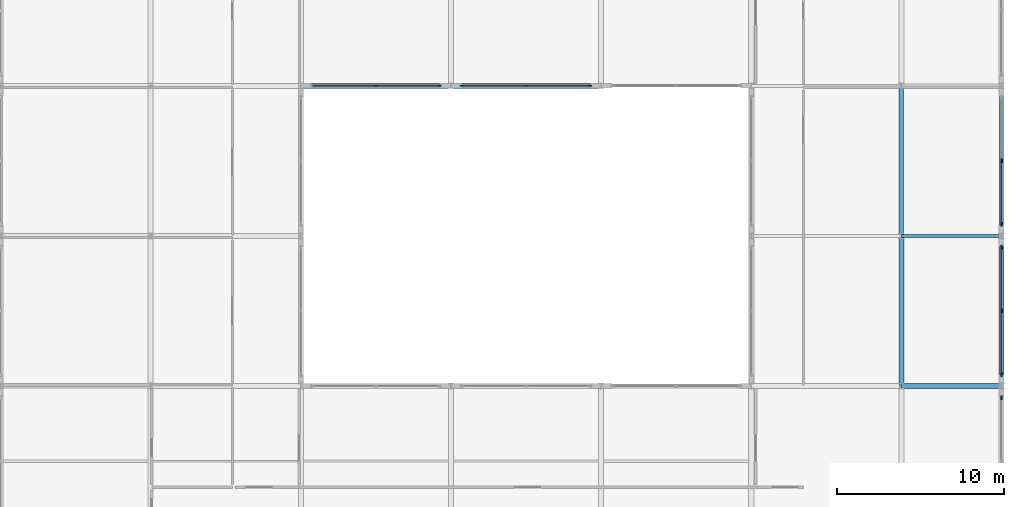
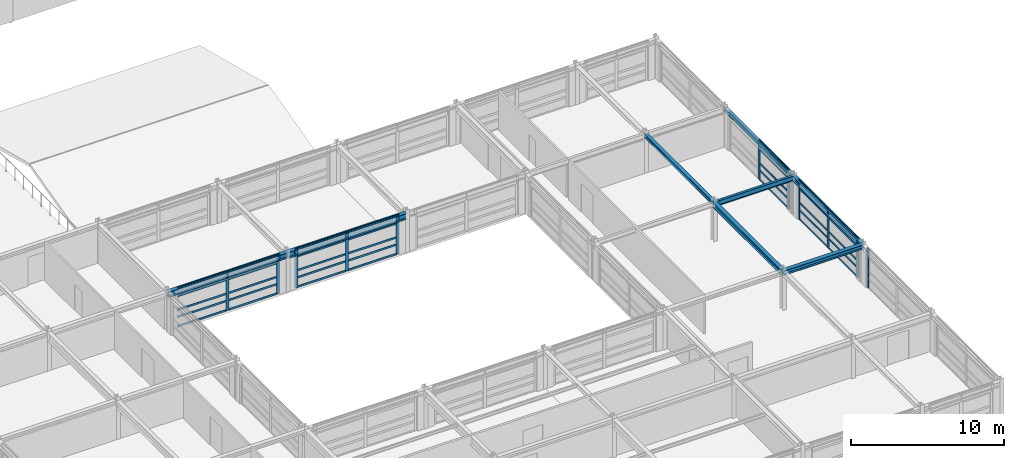
# One storey, part 52 of 91: 46 members, 8 beams, 5 elements without a shape of their own.
"""IFC4 building model written with IfcOpenShell, lengths in metres."""

from ifc_helpers import new_model, si_unit, direction, frame, origin, origin_2d, place, context, subcontext, project, spatial, rectangle, i_section, extrude, material, material_profile, profile_set, type_object, element, aggregate, save


model = new_model("IFC4")

# Units and contexts
model_context = context("Model", 3, precision=1e-05, world=origin(), true_north=direction((0.0, 1.0)))
body_context = subcontext(model_context, "Body", "Model", "MODEL_VIEW")
ifc_project = project(units=[si_unit("LENGTHUNIT", "METRE"), si_unit("AREAUNIT", "SQUARE_METRE"), si_unit("VOLUMEUNIT", "CUBIC_METRE"), si_unit("PLANEANGLEUNIT", "RADIAN"), si_unit("MASSUNIT", "GRAM", prefix="KILO")], contexts=[model_context])

# Site, building, storey
site_placement = place(None, origin())
site = spatial("IfcSite", under=ifc_project, at=site_placement, CompositionType="ELEMENT")
building_placement = place(site_placement, origin())
building = spatial("IfcBuilding", under=site, at=building_placement, Name="Palais des Congres Ocreval", CompositionType="ELEMENT")
storey_placement = place(building_placement, frame((0.0, 0.0, 8.159912109375)))
storey = spatial("IfcBuildingStorey", under=building, at=storey_placement, Name="L02", CompositionType="ELEMENT", Elevation=8.159912109375)

# Beam
ifc_material_1 = material(Name="Steel S355", Category="steel")
ifc_material_profile_1 = material_profile(ifc_material_1, i_section(OverallWidth=0.179931640625, OverallDepth=0.39990234375, WebThickness=0.008544921875, FlangeThickness=0.013427734375, at=origin_2d()), Name="IPE 400")
ifc_profile_set_1 = profile_set([ifc_material_profile_1], Name="Steel S355")
beam_type_1 = type_object("IfcBeamType", Name="Composite Beam IPE 400 Steel S355", PredefinedType="BEAM", material=ifc_profile_set_1)
beam_1_placement = place(storey_placement, frame((162.02001953125, 27.0, 2.900146484375), z_axis=(1.0, 0.0, 0.0), x_axis=(0.0, 1.0, 0.0)))
element("IfcBeam", 1, at=beam_1_placement, inside=storey, type_object=beam_type_1, Name="Beam B02 L02", PredefinedType="BEAM", context=body_context, shape_type="SweptSolid", body=[
    extrude(i_section(OverallWidth=0.179931640625, OverallDepth=0.39990234375, WebThickness=0.008544921875, FlangeThickness=0.013427734375, at=origin_2d()), origin(), (0.0, 0.0, 1.0), 5.9599609375),
])

# Curtain wall, members
ifc_material_2 = material(Name="Anodized bronze aluminium and low-E glass", Category="glass")
curtain_wall_type = type_object("IfcCurtainWallType", Name="Unitised Curtain Wall 7900x3120", PredefinedType="USERDEFINED", material=ifc_material_2)
curtain_wall_1_placement = place(storey_placement, origin())
curtain_wall_1 = element("IfcCurtainWall", 2, at=curtain_wall_1_placement, inside=storey, type_object=curtain_wall_type, Name="Unitised Curtain Wall CW03 L02", ObjectType="UNITISED CURTAIN WALL", PredefinedType="USERDEFINED")
ifc_material_3 = material(Name="Anodized bronze aluminium", Category="aluminium")
ifc_material_profile_2 = material_profile(ifc_material_3, rectangle(XDim=0.074951171875, YDim=0.239990234375, at=origin_2d()), Name="ALU 75x240")
ifc_profile_set_2 = profile_set([ifc_material_profile_2], Name="Anodized bronze aluminium")
member_type_1 = type_object("IfcMemberType", Name="Curtain Wall Mullion ALU 75x240", PredefinedType="MULLION", material=ifc_profile_set_2)
member_1_placement = place(storey_placement, frame((168.0, 31.5, 0.0), z_axis=(0.0, 0.0, 1.0), x_axis=(1.0, 0.0, 0.0)))
member_1 = element("IfcMember", 3, at=member_1_placement, type_object=member_type_1, Name="Curtain Wall Mullion ML01", PredefinedType="MULLION", context=body_context, shape_type="SweptSolid", body=[
    extrude(rectangle(XDim=0.074951171875, YDim=0.239990234375, at=origin_2d()), origin(), (0.0, 0.0, 1.0), 3.110107421875),
])
member_2_placement = place(storey_placement, frame((168.0, 27.6875, 0.0), z_axis=(0.0, 0.0, 1.0), x_axis=(1.0, 0.0, 0.0)))
member_2 = element("IfcMember", 4, at=member_2_placement, type_object=member_type_1, Name="Curtain Wall Mullion ML01", PredefinedType="MULLION", context=body_context, shape_type="SweptSolid", body=[
    extrude(rectangle(XDim=0.074951171875, YDim=0.239990234375, at=origin_2d()), origin(), (0.0, 0.0, 1.0), 3.110107421875),
])

curtain_wall_2_placement = place(storey_placement, origin())
curtain_wall_2 = element("IfcCurtainWall", 5, at=curtain_wall_2_placement, inside=storey, type_object=curtain_wall_type, Name="Unitised Curtain Wall CW03 L02", ObjectType="UNITISED CURTAIN WALL", PredefinedType="USERDEFINED")
member_3_placement = place(storey_placement, frame((168.0, 26.3125, 0.0), z_axis=(0.0, 0.0, 1.0), x_axis=(1.0, 0.0, 0.0)))
member_3 = element("IfcMember", 6, at=member_3_placement, type_object=member_type_1, Name="Curtain Wall Mullion ML01", PredefinedType="MULLION", context=body_context, shape_type="SweptSolid", body=[
    extrude(rectangle(XDim=0.074951171875, YDim=0.239990234375, at=origin_2d()), origin(), (0.0, 0.0, 1.0), 3.110107421875),
])
member_4_placement = place(storey_placement, frame((168.0, 22.5, 0.0), z_axis=(0.0, 0.0, 1.0), x_axis=(1.0, 0.0, 0.0)))
member_4 = element("IfcMember", 7, at=member_4_placement, type_object=member_type_1, Name="Curtain Wall Mullion ML01", PredefinedType="MULLION", context=body_context, shape_type="SweptSolid", body=[
    extrude(rectangle(XDim=0.074951171875, YDim=0.239990234375, at=origin_2d()), origin(), (0.0, 0.0, 1.0), 3.110107421875),
])
member_5_placement = place(storey_placement, frame((168.0, 18.6875, 0.0), z_axis=(0.0, 0.0, 1.0), x_axis=(1.0, 0.0, 0.0)))
member_5 = element("IfcMember", 8, at=member_5_placement, type_object=member_type_1, Name="Curtain Wall Mullion ML01", PredefinedType="MULLION", context=body_context, shape_type="SweptSolid", body=[
    extrude(rectangle(XDim=0.074951171875, YDim=0.239990234375, at=origin_2d()), origin(), (0.0, 0.0, 1.0), 3.110107421875),
])

# Curtain wall, member
curtain_wall_3_placement = place(storey_placement, origin())
curtain_wall_3 = element("IfcCurtainWall", 9, at=curtain_wall_3_placement, inside=storey, type_object=curtain_wall_type, Name="Unitised Curtain Wall CW03 L02", ObjectType="UNITISED CURTAIN WALL", PredefinedType="USERDEFINED")
member_6_placement = place(storey_placement, frame((168.0, 17.3125, 0.0), z_axis=(0.0, 0.0, 1.0), x_axis=(1.0, 0.0, 0.0)))
member_6 = element("IfcMember", 10, at=member_6_placement, type_object=member_type_1, Name="Curtain Wall Mullion ML01", PredefinedType="MULLION", context=body_context, shape_type="SweptSolid", body=[
    extrude(rectangle(XDim=0.074951171875, YDim=0.239990234375, at=origin_2d()), origin(), (0.0, 0.0, 1.0), 3.110107421875),
])
aggregate(curtain_wall_3, [member_6])

# Curtain wall, members
curtain_wall_4_placement = place(storey_placement, origin())
curtain_wall_4 = element("IfcCurtainWall", 11, at=curtain_wall_4_placement, inside=storey, type_object=curtain_wall_type, Name="Unitised Curtain Wall CW03 L02", ObjectType="UNITISED CURTAIN WALL", PredefinedType="USERDEFINED")
member_7_placement = place(storey_placement, frame((143.3125, 36.0, 0.0), z_axis=(0.0, 0.0, 1.0), x_axis=(0.0, -1.0, 0.0)))
member_7 = element("IfcMember", 12, at=member_7_placement, type_object=member_type_1, Name="Curtain Wall Mullion ML01", PredefinedType="MULLION", context=body_context, shape_type="SweptSolid", body=[
    extrude(rectangle(XDim=0.074951171875, YDim=0.239990234375, at=origin_2d()), origin(), (0.0, 0.0, 1.0), 3.110107421875),
])
member_8_placement = place(storey_placement, frame((139.5, 36.0, 0.0), z_axis=(0.0, 0.0, 1.0), x_axis=(0.0, -1.0, 0.0)))
member_8 = element("IfcMember", 13, at=member_8_placement, type_object=member_type_1, Name="Curtain Wall Mullion ML01", PredefinedType="MULLION", context=body_context, shape_type="SweptSolid", body=[
    extrude(rectangle(XDim=0.074951171875, YDim=0.239990234375, at=origin_2d()), origin(), (0.0, 0.0, 1.0), 3.110107421875),
])
member_9_placement = place(storey_placement, frame((135.6875, 36.0, 0.0), z_axis=(0.0, 0.0, 1.0), x_axis=(0.0, -1.0, 0.0)))
member_9 = element("IfcMember", 14, at=member_9_placement, type_object=member_type_1, Name="Curtain Wall Mullion ML01", PredefinedType="MULLION", context=body_context, shape_type="SweptSolid", body=[
    extrude(rectangle(XDim=0.074951171875, YDim=0.239990234375, at=origin_2d()), origin(), (0.0, 0.0, 1.0), 3.110107421875),
])

curtain_wall_5_placement = place(storey_placement, origin())
curtain_wall_5 = element("IfcCurtainWall", 15, at=curtain_wall_5_placement, inside=storey, type_object=curtain_wall_type, Name="Unitised Curtain Wall CW03 L02", ObjectType="UNITISED CURTAIN WALL", PredefinedType="USERDEFINED")
member_10_placement = place(storey_placement, frame((134.3125, 36.0, 0.0), z_axis=(0.0, 0.0, 1.0), x_axis=(0.0, -1.0, 0.0)))
member_10 = element("IfcMember", 16, at=member_10_placement, type_object=member_type_1, Name="Curtain Wall Mullion ML01", PredefinedType="MULLION", context=body_context, shape_type="SweptSolid", body=[
    extrude(rectangle(XDim=0.074951171875, YDim=0.239990234375, at=origin_2d()), origin(), (0.0, 0.0, 1.0), 3.110107421875),
])
member_11_placement = place(storey_placement, frame((130.5, 36.0, 0.0), z_axis=(0.0, 0.0, 1.0), x_axis=(0.0, -1.0, 0.0)))
member_11 = element("IfcMember", 17, at=member_11_placement, type_object=member_type_1, Name="Curtain Wall Mullion ML01", PredefinedType="MULLION", context=body_context, shape_type="SweptSolid", body=[
    extrude(rectangle(XDim=0.074951171875, YDim=0.239990234375, at=origin_2d()), origin(), (0.0, 0.0, 1.0), 3.110107421875),
])

# Member
ifc_material_profile_3 = material_profile(ifc_material_3, rectangle(XDim=0.06005859375, YDim=0.14990234375, at=origin_2d()), Name="ALU 60x150")
ifc_profile_set_3 = profile_set([ifc_material_profile_3], Name="Anodized bronze aluminium")
member_type_2 = type_object("IfcMemberType", Name="Curtain Wall Transom ALU 60x150", PredefinedType="USERDEFINED", material=ifc_profile_set_3)
member_12_placement = place(storey_placement, frame((168.0, 31.46240234375, 0.030029296875), z_axis=(0.0, -1.0, 0.0), x_axis=(1.0, 0.0, 0.0)))
member_12 = element("IfcMember", 18, at=member_12_placement, type_object=member_type_2, Name="Curtain Wall Transom TR01", ObjectType="TRANSOM", PredefinedType="USERDEFINED", context=body_context, shape_type="SweptSolid", body=[
    extrude(rectangle(XDim=0.06005859375, YDim=0.14990234375, at=origin_2d()), origin(), (0.0, 0.0, 1.0), 3.7373046875),
])

member_13_placement = place(storey_placement, frame((168.0, 31.46240234375, 0.780029296875), z_axis=(0.0, -1.0, 0.0), x_axis=(1.0, 0.0, 0.0)))
member_13 = element("IfcMember", 19, at=member_13_placement, type_object=member_type_2, Name="Curtain Wall Transom TR01", ObjectType="TRANSOM", PredefinedType="USERDEFINED", context=body_context, shape_type="SweptSolid", body=[
    extrude(rectangle(XDim=0.06005859375, YDim=0.14990234375, at=origin_2d()), origin(), (0.0, 0.0, 1.0), 3.7373046875),
])

member_14_placement = place(storey_placement, frame((168.0, 31.46240234375, 1.35302734375), z_axis=(0.0, -1.0, 0.0), x_axis=(1.0, 0.0, 0.0)))
member_14 = element("IfcMember", 20, at=member_14_placement, type_object=member_type_2, Name="Curtain Wall Transom TR01", ObjectType="TRANSOM", PredefinedType="USERDEFINED", context=body_context, shape_type="SweptSolid", body=[
    extrude(rectangle(XDim=0.06005859375, YDim=0.14990234375, at=origin_2d()), origin(), (0.0, 0.0, 1.0), 3.7373046875),
])

member_15_placement = place(storey_placement, frame((168.0, 31.46240234375, 2.460205078125), z_axis=(0.0, -1.0, 0.0), x_axis=(1.0, 0.0, 0.0)))
member_15 = element("IfcMember", 21, at=member_15_placement, type_object=member_type_2, Name="Curtain Wall Transom TR01", ObjectType="TRANSOM", PredefinedType="USERDEFINED", context=body_context, shape_type="SweptSolid", body=[
    extrude(rectangle(XDim=0.06005859375, YDim=0.14990234375, at=origin_2d()), origin(), (0.0, 0.0, 1.0), 3.7373046875),
])

member_16_placement = place(storey_placement, frame((168.0, 31.46240234375, 3.080078125), z_axis=(0.0, -1.0, 0.0), x_axis=(1.0, 0.0, 0.0)))
member_16 = element("IfcMember", 22, at=member_16_placement, type_object=member_type_2, Name="Curtain Wall Transom TR01", ObjectType="TRANSOM", PredefinedType="USERDEFINED", context=body_context, shape_type="SweptSolid", body=[
    extrude(rectangle(XDim=0.06005859375, YDim=0.14990234375, at=origin_2d()), origin(), (0.0, 0.0, 1.0), 3.7373046875),
])

aggregate(curtain_wall_1, [member_1, member_2, member_12, member_13, member_14, member_15, member_16])

member_17_placement = place(storey_placement, frame((168.0, 26.27490234375, 0.030029296875), z_axis=(0.0, -1.0, 0.0), x_axis=(1.0, 0.0, 0.0)))
member_17 = element("IfcMember", 23, at=member_17_placement, type_object=member_type_2, Name="Curtain Wall Transom TR01", ObjectType="TRANSOM", PredefinedType="USERDEFINED", context=body_context, shape_type="SweptSolid", body=[
    extrude(rectangle(XDim=0.06005859375, YDim=0.14990234375, at=origin_2d()), origin(), (0.0, 0.0, 1.0), 3.7373046875),
])

member_18_placement = place(storey_placement, frame((168.0, 26.27490234375, 0.780029296875), z_axis=(0.0, -1.0, 0.0), x_axis=(1.0, 0.0, 0.0)))
member_18 = element("IfcMember", 24, at=member_18_placement, type_object=member_type_2, Name="Curtain Wall Transom TR01", ObjectType="TRANSOM", PredefinedType="USERDEFINED", context=body_context, shape_type="SweptSolid", body=[
    extrude(rectangle(XDim=0.06005859375, YDim=0.14990234375, at=origin_2d()), origin(), (0.0, 0.0, 1.0), 3.7373046875),
])

member_19_placement = place(storey_placement, frame((168.0, 26.27490234375, 1.35302734375), z_axis=(0.0, -1.0, 0.0), x_axis=(1.0, 0.0, 0.0)))
member_19 = element("IfcMember", 25, at=member_19_placement, type_object=member_type_2, Name="Curtain Wall Transom TR01", ObjectType="TRANSOM", PredefinedType="USERDEFINED", context=body_context, shape_type="SweptSolid", body=[
    extrude(rectangle(XDim=0.06005859375, YDim=0.14990234375, at=origin_2d()), origin(), (0.0, 0.0, 1.0), 3.7373046875),
])

member_20_placement = place(storey_placement, frame((168.0, 26.27490234375, 2.460205078125), z_axis=(0.0, -1.0, 0.0), x_axis=(1.0, 0.0, 0.0)))
member_20 = element("IfcMember", 26, at=member_20_placement, type_object=member_type_2, Name="Curtain Wall Transom TR01", ObjectType="TRANSOM", PredefinedType="USERDEFINED", context=body_context, shape_type="SweptSolid", body=[
    extrude(rectangle(XDim=0.06005859375, YDim=0.14990234375, at=origin_2d()), origin(), (0.0, 0.0, 1.0), 3.7373046875),
])

member_21_placement = place(storey_placement, frame((168.0, 26.27490234375, 3.080078125), z_axis=(0.0, -1.0, 0.0), x_axis=(1.0, 0.0, 0.0)))
member_21 = element("IfcMember", 27, at=member_21_placement, type_object=member_type_2, Name="Curtain Wall Transom TR01", ObjectType="TRANSOM", PredefinedType="USERDEFINED", context=body_context, shape_type="SweptSolid", body=[
    extrude(rectangle(XDim=0.06005859375, YDim=0.14990234375, at=origin_2d()), origin(), (0.0, 0.0, 1.0), 3.7373046875),
])

member_22_placement = place(storey_placement, frame((168.0, 22.46240234375, 0.030029296875), z_axis=(0.0, -1.0, 0.0), x_axis=(1.0, 0.0, 0.0)))
member_22 = element("IfcMember", 28, at=member_22_placement, type_object=member_type_2, Name="Curtain Wall Transom TR01", ObjectType="TRANSOM", PredefinedType="USERDEFINED", context=body_context, shape_type="SweptSolid", body=[
    extrude(rectangle(XDim=0.06005859375, YDim=0.14990234375, at=origin_2d()), origin(), (0.0, 0.0, 1.0), 3.7373046875),
])

member_23_placement = place(storey_placement, frame((168.0, 22.46240234375, 0.780029296875), z_axis=(0.0, -1.0, 0.0), x_axis=(1.0, 0.0, 0.0)))
member_23 = element("IfcMember", 29, at=member_23_placement, type_object=member_type_2, Name="Curtain Wall Transom TR01", ObjectType="TRANSOM", PredefinedType="USERDEFINED", context=body_context, shape_type="SweptSolid", body=[
    extrude(rectangle(XDim=0.06005859375, YDim=0.14990234375, at=origin_2d()), origin(), (0.0, 0.0, 1.0), 3.7373046875),
])

member_24_placement = place(storey_placement, frame((168.0, 22.46240234375, 1.35302734375), z_axis=(0.0, -1.0, 0.0), x_axis=(1.0, 0.0, 0.0)))
member_24 = element("IfcMember", 30, at=member_24_placement, type_object=member_type_2, Name="Curtain Wall Transom TR01", ObjectType="TRANSOM", PredefinedType="USERDEFINED", context=body_context, shape_type="SweptSolid", body=[
    extrude(rectangle(XDim=0.06005859375, YDim=0.14990234375, at=origin_2d()), origin(), (0.0, 0.0, 1.0), 3.7373046875),
])

member_25_placement = place(storey_placement, frame((168.0, 22.46240234375, 2.460205078125), z_axis=(0.0, -1.0, 0.0), x_axis=(1.0, 0.0, 0.0)))
member_25 = element("IfcMember", 31, at=member_25_placement, type_object=member_type_2, Name="Curtain Wall Transom TR01", ObjectType="TRANSOM", PredefinedType="USERDEFINED", context=body_context, shape_type="SweptSolid", body=[
    extrude(rectangle(XDim=0.06005859375, YDim=0.14990234375, at=origin_2d()), origin(), (0.0, 0.0, 1.0), 3.7373046875),
])

member_26_placement = place(storey_placement, frame((168.0, 22.46240234375, 3.080078125), z_axis=(0.0, -1.0, 0.0), x_axis=(1.0, 0.0, 0.0)))
member_26 = element("IfcMember", 32, at=member_26_placement, type_object=member_type_2, Name="Curtain Wall Transom TR01", ObjectType="TRANSOM", PredefinedType="USERDEFINED", context=body_context, shape_type="SweptSolid", body=[
    extrude(rectangle(XDim=0.06005859375, YDim=0.14990234375, at=origin_2d()), origin(), (0.0, 0.0, 1.0), 3.7373046875),
])

aggregate(curtain_wall_2, [member_3, member_4, member_5, member_17, member_18, member_19, member_20, member_21, member_22, member_23, member_24, member_25, member_26])

member_27_placement = place(storey_placement, frame((143.27490234375, 36.0, 0.030029296875), z_axis=(-1.0, 0.0, 0.0), x_axis=(0.0, -1.0, 0.0)))
member_27 = element("IfcMember", 33, at=member_27_placement, type_object=member_type_2, Name="Curtain Wall Transom TR01", ObjectType="TRANSOM", PredefinedType="USERDEFINED", context=body_context, shape_type="SweptSolid", body=[
    extrude(rectangle(XDim=0.06005859375, YDim=0.14990234375, at=origin_2d()), origin(), (0.0, 0.0, 1.0), 3.7373046875),
])

member_28_placement = place(storey_placement, frame((143.27490234375, 36.0, 0.780029296875), z_axis=(-1.0, 0.0, 0.0), x_axis=(0.0, -1.0, 0.0)))
member_28 = element("IfcMember", 34, at=member_28_placement, type_object=member_type_2, Name="Curtain Wall Transom TR01", ObjectType="TRANSOM", PredefinedType="USERDEFINED", context=body_context, shape_type="SweptSolid", body=[
    extrude(rectangle(XDim=0.06005859375, YDim=0.14990234375, at=origin_2d()), origin(), (0.0, 0.0, 1.0), 3.7373046875),
])

member_29_placement = place(storey_placement, frame((143.27490234375, 36.0, 1.35302734375), z_axis=(-1.0, 0.0, 0.0), x_axis=(0.0, -1.0, 0.0)))
member_29 = element("IfcMember", 35, at=member_29_placement, type_object=member_type_2, Name="Curtain Wall Transom TR01", ObjectType="TRANSOM", PredefinedType="USERDEFINED", context=body_context, shape_type="SweptSolid", body=[
    extrude(rectangle(XDim=0.06005859375, YDim=0.14990234375, at=origin_2d()), origin(), (0.0, 0.0, 1.0), 3.7373046875),
])

member_30_placement = place(storey_placement, frame((143.27490234375, 36.0, 2.460205078125), z_axis=(-1.0, 0.0, 0.0), x_axis=(0.0, -1.0, 0.0)))
member_30 = element("IfcMember", 36, at=member_30_placement, type_object=member_type_2, Name="Curtain Wall Transom TR01", ObjectType="TRANSOM", PredefinedType="USERDEFINED", context=body_context, shape_type="SweptSolid", body=[
    extrude(rectangle(XDim=0.06005859375, YDim=0.14990234375, at=origin_2d()), origin(), (0.0, 0.0, 1.0), 3.7373046875),
])

member_31_placement = place(storey_placement, frame((143.27490234375, 36.0, 3.080078125), z_axis=(-1.0, 0.0, 0.0), x_axis=(0.0, -1.0, 0.0)))
member_31 = element("IfcMember", 37, at=member_31_placement, type_object=member_type_2, Name="Curtain Wall Transom TR01", ObjectType="TRANSOM", PredefinedType="USERDEFINED", context=body_context, shape_type="SweptSolid", body=[
    extrude(rectangle(XDim=0.06005859375, YDim=0.14990234375, at=origin_2d()), origin(), (0.0, 0.0, 1.0), 3.7373046875),
])

member_32_placement = place(storey_placement, frame((139.46240234375, 36.0, 0.030029296875), z_axis=(-1.0, 0.0, 0.0), x_axis=(0.0, -1.0, 0.0)))
member_32 = element("IfcMember", 38, at=member_32_placement, type_object=member_type_2, Name="Curtain Wall Transom TR01", ObjectType="TRANSOM", PredefinedType="USERDEFINED", context=body_context, shape_type="SweptSolid", body=[
    extrude(rectangle(XDim=0.06005859375, YDim=0.14990234375, at=origin_2d()), origin(), (0.0, 0.0, 1.0), 3.7373046875),
])

member_33_placement = place(storey_placement, frame((139.46240234375, 36.0, 0.780029296875), z_axis=(-1.0, 0.0, 0.0), x_axis=(0.0, -1.0, 0.0)))
member_33 = element("IfcMember", 39, at=member_33_placement, type_object=member_type_2, Name="Curtain Wall Transom TR01", ObjectType="TRANSOM", PredefinedType="USERDEFINED", context=body_context, shape_type="SweptSolid", body=[
    extrude(rectangle(XDim=0.06005859375, YDim=0.14990234375, at=origin_2d()), origin(), (0.0, 0.0, 1.0), 3.7373046875),
])

member_34_placement = place(storey_placement, frame((139.46240234375, 36.0, 1.35302734375), z_axis=(-1.0, 0.0, 0.0), x_axis=(0.0, -1.0, 0.0)))
member_34 = element("IfcMember", 40, at=member_34_placement, type_object=member_type_2, Name="Curtain Wall Transom TR01", ObjectType="TRANSOM", PredefinedType="USERDEFINED", context=body_context, shape_type="SweptSolid", body=[
    extrude(rectangle(XDim=0.06005859375, YDim=0.14990234375, at=origin_2d()), origin(), (0.0, 0.0, 1.0), 3.7373046875),
])

member_35_placement = place(storey_placement, frame((139.46240234375, 36.0, 2.460205078125), z_axis=(-1.0, 0.0, 0.0), x_axis=(0.0, -1.0, 0.0)))
member_35 = element("IfcMember", 41, at=member_35_placement, type_object=member_type_2, Name="Curtain Wall Transom TR01", ObjectType="TRANSOM", PredefinedType="USERDEFINED", context=body_context, shape_type="SweptSolid", body=[
    extrude(rectangle(XDim=0.06005859375, YDim=0.14990234375, at=origin_2d()), origin(), (0.0, 0.0, 1.0), 3.7373046875),
])

member_36_placement = place(storey_placement, frame((139.46240234375, 36.0, 3.080078125), z_axis=(-1.0, 0.0, 0.0), x_axis=(0.0, -1.0, 0.0)))
member_36 = element("IfcMember", 42, at=member_36_placement, type_object=member_type_2, Name="Curtain Wall Transom TR01", ObjectType="TRANSOM", PredefinedType="USERDEFINED", context=body_context, shape_type="SweptSolid", body=[
    extrude(rectangle(XDim=0.06005859375, YDim=0.14990234375, at=origin_2d()), origin(), (0.0, 0.0, 1.0), 3.7373046875),
])

aggregate(curtain_wall_4, [member_7, member_8, member_9, member_27, member_28, member_29, member_30, member_31, member_32, member_33, member_34, member_35, member_36])

member_37_placement = place(storey_placement, frame((134.27490234375, 36.0, 0.030029296875), z_axis=(-1.0, 0.0, 0.0), x_axis=(0.0, -1.0, 0.0)))
member_37 = element("IfcMember", 43, at=member_37_placement, type_object=member_type_2, Name="Curtain Wall Transom TR01", ObjectType="TRANSOM", PredefinedType="USERDEFINED", context=body_context, shape_type="SweptSolid", body=[
    extrude(rectangle(XDim=0.06005859375, YDim=0.14990234375, at=origin_2d()), origin(), (0.0, 0.0, 1.0), 3.7373046875),
])

member_38_placement = place(storey_placement, frame((134.27490234375, 36.0, 0.780029296875), z_axis=(-1.0, 0.0, 0.0), x_axis=(0.0, -1.0, 0.0)))
member_38 = element("IfcMember", 44, at=member_38_placement, type_object=member_type_2, Name="Curtain Wall Transom TR01", ObjectType="TRANSOM", PredefinedType="USERDEFINED", context=body_context, shape_type="SweptSolid", body=[
    extrude(rectangle(XDim=0.06005859375, YDim=0.14990234375, at=origin_2d()), origin(), (0.0, 0.0, 1.0), 3.7373046875),
])

member_39_placement = place(storey_placement, frame((134.27490234375, 36.0, 1.35302734375), z_axis=(-1.0, 0.0, 0.0), x_axis=(0.0, -1.0, 0.0)))
member_39 = element("IfcMember", 45, at=member_39_placement, type_object=member_type_2, Name="Curtain Wall Transom TR01", ObjectType="TRANSOM", PredefinedType="USERDEFINED", context=body_context, shape_type="SweptSolid", body=[
    extrude(rectangle(XDim=0.06005859375, YDim=0.14990234375, at=origin_2d()), origin(), (0.0, 0.0, 1.0), 3.7373046875),
])

member_40_placement = place(storey_placement, frame((134.27490234375, 36.0, 2.460205078125), z_axis=(-1.0, 0.0, 0.0), x_axis=(0.0, -1.0, 0.0)))
member_40 = element("IfcMember", 46, at=member_40_placement, type_object=member_type_2, Name="Curtain Wall Transom TR01", ObjectType="TRANSOM", PredefinedType="USERDEFINED", context=body_context, shape_type="SweptSolid", body=[
    extrude(rectangle(XDim=0.06005859375, YDim=0.14990234375, at=origin_2d()), origin(), (0.0, 0.0, 1.0), 3.7373046875),
])

member_41_placement = place(storey_placement, frame((134.27490234375, 36.0, 3.080078125), z_axis=(-1.0, 0.0, 0.0), x_axis=(0.0, -1.0, 0.0)))
member_41 = element("IfcMember", 47, at=member_41_placement, type_object=member_type_2, Name="Curtain Wall Transom TR01", ObjectType="TRANSOM", PredefinedType="USERDEFINED", context=body_context, shape_type="SweptSolid", body=[
    extrude(rectangle(XDim=0.06005859375, YDim=0.14990234375, at=origin_2d()), origin(), (0.0, 0.0, 1.0), 3.7373046875),
])

member_42_placement = place(storey_placement, frame((130.46240234375, 36.0, 0.030029296875), z_axis=(-1.0, 0.0, 0.0), x_axis=(0.0, -1.0, 0.0)))
member_42 = element("IfcMember", 48, at=member_42_placement, type_object=member_type_2, Name="Curtain Wall Transom TR01", ObjectType="TRANSOM", PredefinedType="USERDEFINED", context=body_context, shape_type="SweptSolid", body=[
    extrude(rectangle(XDim=0.06005859375, YDim=0.14990234375, at=origin_2d()), origin(), (0.0, 0.0, 1.0), 3.7373046875),
])

member_43_placement = place(storey_placement, frame((130.46240234375, 36.0, 0.780029296875), z_axis=(-1.0, 0.0, 0.0), x_axis=(0.0, -1.0, 0.0)))
member_43 = element("IfcMember", 49, at=member_43_placement, type_object=member_type_2, Name="Curtain Wall Transom TR01", ObjectType="TRANSOM", PredefinedType="USERDEFINED", context=body_context, shape_type="SweptSolid", body=[
    extrude(rectangle(XDim=0.06005859375, YDim=0.14990234375, at=origin_2d()), origin(), (0.0, 0.0, 1.0), 3.7373046875),
])

member_44_placement = place(storey_placement, frame((130.46240234375, 36.0, 1.35302734375), z_axis=(-1.0, 0.0, 0.0), x_axis=(0.0, -1.0, 0.0)))
member_44 = element("IfcMember", 50, at=member_44_placement, type_object=member_type_2, Name="Curtain Wall Transom TR01", ObjectType="TRANSOM", PredefinedType="USERDEFINED", context=body_context, shape_type="SweptSolid", body=[
    extrude(rectangle(XDim=0.06005859375, YDim=0.14990234375, at=origin_2d()), origin(), (0.0, 0.0, 1.0), 3.7373046875),
])

member_45_placement = place(storey_placement, frame((130.46240234375, 36.0, 2.460205078125), z_axis=(-1.0, 0.0, 0.0), x_axis=(0.0, -1.0, 0.0)))
member_45 = element("IfcMember", 51, at=member_45_placement, type_object=member_type_2, Name="Curtain Wall Transom TR01", ObjectType="TRANSOM", PredefinedType="USERDEFINED", context=body_context, shape_type="SweptSolid", body=[
    extrude(rectangle(XDim=0.06005859375, YDim=0.14990234375, at=origin_2d()), origin(), (0.0, 0.0, 1.0), 3.7373046875),
])

member_46_placement = place(storey_placement, frame((130.46240234375, 36.0, 3.080078125), z_axis=(-1.0, 0.0, 0.0), x_axis=(0.0, -1.0, 0.0)))
member_46 = element("IfcMember", 52, at=member_46_placement, type_object=member_type_2, Name="Curtain Wall Transom TR01", ObjectType="TRANSOM", PredefinedType="USERDEFINED", context=body_context, shape_type="SweptSolid", body=[
    extrude(rectangle(XDim=0.06005859375, YDim=0.14990234375, at=origin_2d()), origin(), (0.0, 0.0, 1.0), 3.7373046875),
])

aggregate(curtain_wall_5, [member_10, member_11, member_37, member_38, member_39, member_40, member_41, member_42, member_43, member_44, member_45, member_46])

# Beams
ifc_material_profile_4 = material_profile(ifc_material_1, i_section(OverallWidth=0.260009765625, OverallDepth=0.260009765625, WebThickness=0.010009765625, FlangeThickness=0.017578125, at=origin_2d()), Name="HEB 260")
ifc_profile_set_4 = profile_set([ifc_material_profile_4], Name="Steel S355")
beam_type_2 = type_object("IfcBeamType", Name="Opening Lintel HEB 260 Steel S355", PredefinedType="LINTEL", material=ifc_profile_set_4)
for number, where, z_axis, x_axis, name in (
    (53, (162.0, 27.02001953125, 2.969970703125), (0.0, 1.0, 0.0), (-1.0, 0.0, 0.0), "Girder LN01 L02"),
    (54, (168.0, 27.02001953125, 2.969970703125), (0.0, 1.0, 0.0), (-1.0, 0.0, 0.0), "Girder LN01 L02"),
):
    element("IfcBeam", number, at=place(storey_placement, frame(where, z_axis=z_axis, x_axis=x_axis)), inside=storey, type_object=beam_type_2, Name=name, PredefinedType="LINTEL", context=body_context, shape_type="SweptSolid", body=[
        extrude(i_section(OverallWidth=0.260009765625, OverallDepth=0.260009765625, WebThickness=0.010009765625, FlangeThickness=0.017578125, at=origin_2d()), origin(), (0.0, 0.0, 1.0), 8.9599609375),
    ])
ifc_material_profile_5 = material_profile(ifc_material_1, i_section(OverallWidth=0.300048828125, OverallDepth=0.360107421875, WebThickness=0.012451171875, FlangeThickness=0.0224609375, at=origin_2d()), Name="HEB 360")
ifc_profile_set_5 = profile_set([ifc_material_profile_5], Name="Steel S355")
beam_type_3 = type_object("IfcBeamType", Name="Perimeter Spandrel HEB 360 Steel S355", PredefinedType="SPANDREL", material=ifc_profile_set_5)
beam_2_placement = place(storey_placement, frame((162.02001953125, 18.0, 2.920166015625), z_axis=(1.0, 0.0, 0.0), x_axis=(0.0, 1.0, 0.0)))
element("IfcBeam", 55, at=beam_2_placement, inside=storey, type_object=beam_type_3, Name="Beam SP03 L02", PredefinedType="SPANDREL", context=body_context, shape_type="SweptSolid", body=[
    extrude(i_section(OverallWidth=0.300048828125, OverallDepth=0.360107421875, WebThickness=0.012451171875, FlangeThickness=0.0224609375, at=origin_2d()), origin(), (0.0, 0.0, 1.0), 5.9599609375),
])
ifc_material_profile_6 = material_profile(ifc_material_1, i_section(OverallWidth=0.300048828125, OverallDepth=0.39990234375, WebThickness=0.013427734375, FlangeThickness=0.02392578125, at=origin_2d()), Name="HEB 400")
ifc_profile_set_6 = profile_set([ifc_material_profile_6], Name="Steel S355")
beam_type_4 = type_object("IfcBeamType", Name="Perimeter Spandrel HEB 400 Steel S355", PredefinedType="SPANDREL", material=ifc_profile_set_6)
for number, where, z_axis, x_axis, name in (
    (56, (162.0, 18.02001953125, 2.900146484375), (0.0, 1.0, 0.0), (-1.0, 0.0, 0.0), "Girder SP04 L02"),
    (57, (168.0, 18.02001953125, 2.900146484375), (0.0, 1.0, 0.0), (-1.0, 0.0, 0.0), "Girder SP04 L02"),
):
    element("IfcBeam", number, at=place(storey_placement, frame(where, z_axis=z_axis, x_axis=x_axis)), inside=storey, type_object=beam_type_4, Name=name, PredefinedType="SPANDREL", context=body_context, shape_type="SweptSolid", body=[
        extrude(i_section(OverallWidth=0.300048828125, OverallDepth=0.39990234375, WebThickness=0.013427734375, FlangeThickness=0.02392578125, at=origin_2d()), origin(), (0.0, 0.0, 1.0), 8.9599609375),
    ])
ifc_material_profile_7 = material_profile(ifc_material_1, i_section(OverallWidth=0.300048828125, OverallDepth=0.43994140625, WebThickness=0.011474609375, FlangeThickness=0.02099609375, at=origin_2d()), Name="HEA 450")
ifc_profile_set_7 = profile_set([ifc_material_profile_7], Name="Steel S355")
beam_type_5 = type_object("IfcBeamType", Name="Primary Beam HEA 450 Steel S355", PredefinedType="BEAM", material=ifc_profile_set_7)
beam_3_placement = place(storey_placement, frame((126.02001953125, 36.0, 2.880126953125), z_axis=(1.0, 0.0, 0.0), x_axis=(0.0, 1.0, 0.0)))
element("IfcBeam", 58, at=beam_3_placement, inside=storey, type_object=beam_type_5, Name="Beam B11 L02", PredefinedType="BEAM", context=body_context, shape_type="SweptSolid", body=[
    extrude(i_section(OverallWidth=0.300048828125, OverallDepth=0.43994140625, WebThickness=0.011474609375, FlangeThickness=0.02099609375, at=origin_2d()), origin(), (0.0, 0.0, 1.0), 8.9599609375),
])
ifc_material_profile_8 = material_profile(ifc_material_1, i_section(OverallWidth=0.300048828125, OverallDepth=0.489990234375, WebThickness=0.011962890625, FlangeThickness=0.02294921875, at=origin_2d()), Name="HEA 500")
ifc_profile_set_8 = profile_set([ifc_material_profile_8], Name="Steel S355")
beam_type_6 = type_object("IfcBeamType", Name="Primary Beam HEA 500 Steel S355", PredefinedType="BEAM", material=ifc_profile_set_8)
beam_4_placement = place(storey_placement, frame((135.02001953125, 36.0, 2.85498046875), z_axis=(1.0, 0.0, 0.0), x_axis=(0.0, 1.0, 0.0)))
element("IfcBeam", 59, at=beam_4_placement, inside=storey, type_object=beam_type_6, Name="Beam B12 L02", PredefinedType="BEAM", context=body_context, shape_type="SweptSolid", body=[
    extrude(i_section(OverallWidth=0.300048828125, OverallDepth=0.489990234375, WebThickness=0.011962890625, FlangeThickness=0.02294921875, at=origin_2d()), origin(), (0.0, 0.0, 1.0), 8.9599609375),
])

save(model, "model.ifc")
